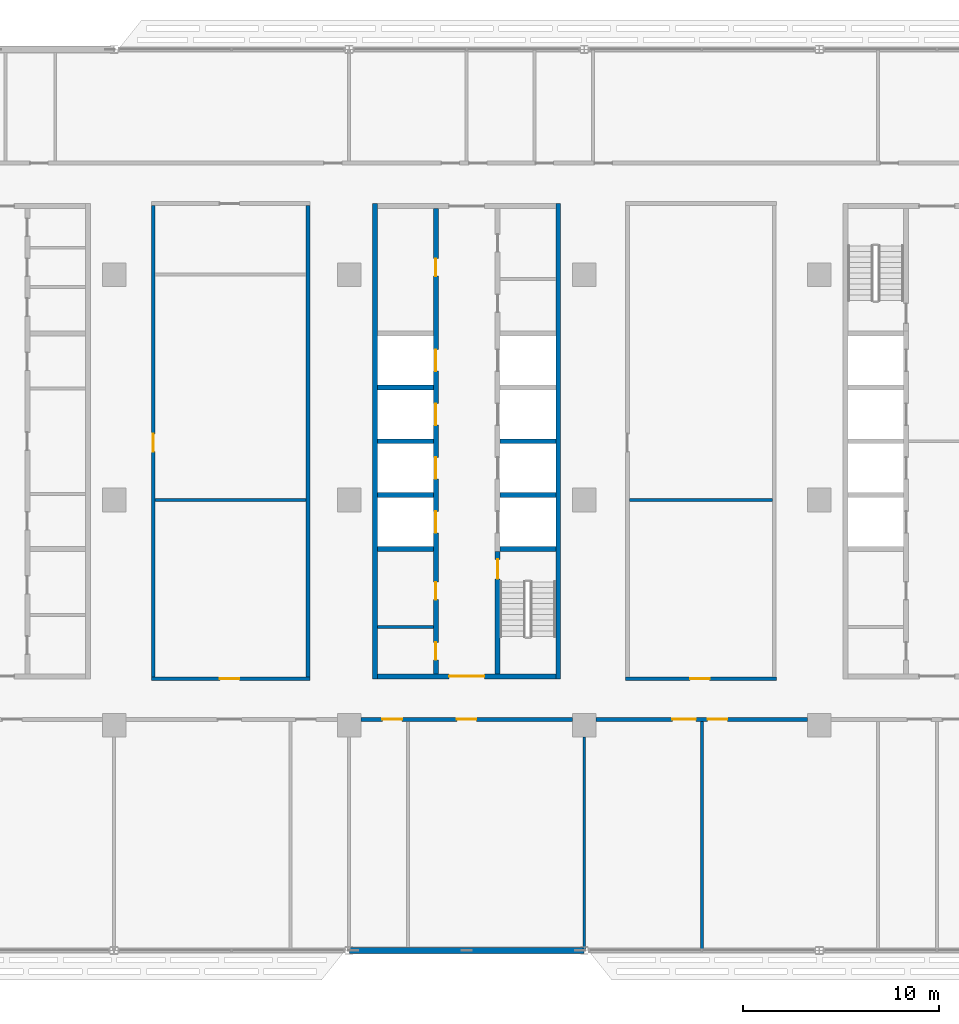
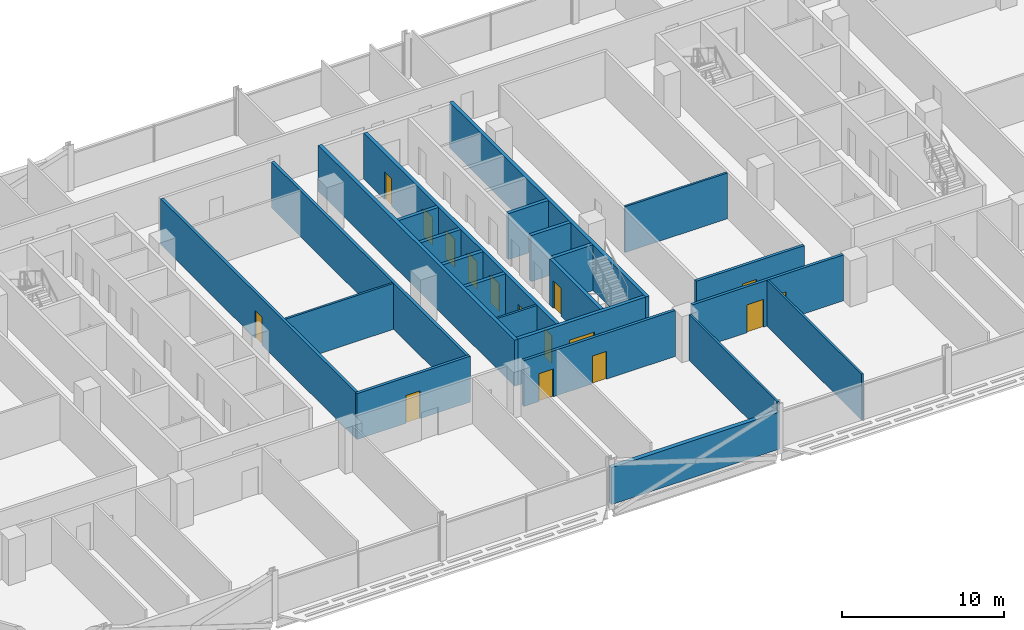
# One storey, part 12 of 27: 24 walls, 16 doors, 16 openings.
"""IFC4 building model written with IfcOpenShell, lengths in metres."""

from ifc_helpers import new_model, si_unit, direction, frame, frame_2d, origin, place, context, subcontext, project, spatial, rectangle, extrude, material, layer, layer_set, type_object, element, fill, save


model = new_model("IFC4")

# Units and contexts
model_context = context("Model", 3, precision=1e-05, world=origin(), true_north=direction((0.0, 1.0)))
body_context = subcontext(model_context, "Body", "Model", "MODEL_VIEW")
ifc_project = project(units=[si_unit("LENGTHUNIT", "METRE"), si_unit("AREAUNIT", "SQUARE_METRE"), si_unit("VOLUMEUNIT", "CUBIC_METRE"), si_unit("PLANEANGLEUNIT", "RADIAN"), si_unit("MASSUNIT", "GRAM", prefix="KILO")], contexts=[model_context])

# Site, building, storey
site_placement = place(None, origin())
site = spatial("IfcSite", under=ifc_project, at=site_placement, CompositionType="ELEMENT")
building_placement = place(site_placement, origin())
building = spatial("IfcBuilding", under=site, at=building_placement, Name="Mahtab Terrace Research Tower", CompositionType="ELEMENT")
storey_placement = place(building_placement, frame((0.0, 0.0, 178.199951171875)))
storey = spatial("IfcBuildingStorey", under=building, at=storey_placement, Name="L42", CompositionType="ELEMENT", Elevation=178.199951171875)

# Walls
ifc_material_1 = material(Name="Gypsum board partition")
ifc_layer_1 = layer(ifc_material_1, 0.14990234375)
ifc_layer_set_1 = layer_set([ifc_layer_1], Name="Core partition 150")
wall_type_1 = type_object("IfcWallType", Name="Core partition 150", PredefinedType="PARTITIONING", material=ifc_layer_set_1)
wall_1_placement = place(storey_placement, frame((-4.550048828125, -6.47509765625, 0.0), z_axis=(0.0, 0.0, 1.0), x_axis=(1.0, 0.0, 0.0)))
element("IfcWall", 1, at=wall_1_placement, inside=storey, type_object=wall_type_1, Name="Core wall B pWS-948", PredefinedType="PARTITIONING", context=body_context, shape_type="SweptSolid", body=[
    extrude(rectangle(XDim=2.85009765625, YDim=0.14990234375, at=frame_2d((1.425048828125, 0.0))), origin(), (0.0, 0.0, 1.0), 3.4599609375),
])
ifc_material_2 = material(Name="Concrete C70/85", Category="concrete")
ifc_layer_2 = layer(ifc_material_2, 0.25)
ifc_layer_set_2 = layer_set([ifc_layer_2], Name="Core wall 250")
wall_type_2 = type_object("IfcWallType", Name="Core wall 250", PredefinedType="SOLIDWALL", material=ifc_layer_set_2)
for number, where, z_axis, x_axis, name in (
    (2, (-4.675048828125, 15.125, 0.0), (0.0, 0.0, 1.0), (0.0, -1.0, 0.0), "Core wall B outerW"),
    (3, (4.675048828125, -9.125, 0.0), (0.0, 0.0, 1.0), (0.0, 1.0, 0.0), "Core wall B outerE"),
):
    element("IfcWall", number, at=place(storey_placement, frame(where, z_axis=z_axis, x_axis=x_axis)), inside=storey, type_object=wall_type_2, Name=name, PredefinedType="SOLIDWALL", context=body_context, shape_type="SweptSolid", body=[
        extrude(rectangle(XDim=24.25, YDim=0.25, at=frame_2d((12.125, 0.0))), origin(), (0.0, 0.0, 1.0), 3.4599609375),
    ])

# Wall, opening, door
wall_2_placement = place(storey_placement, frame((4.550048828125, -9.0, 0.0), z_axis=(0.0, 0.0, 1.0), x_axis=(-1.0, 0.0, 0.0)))
wall_2 = element("IfcWall", 4, at=wall_2_placement, inside=storey, type_object=wall_type_2, Name="Core wall B endS", PredefinedType="SOLIDWALL", context=body_context, shape_type="SweptSolid", body=[
    extrude(rectangle(XDim=9.10009765625, YDim=0.25, at=frame_2d((4.550048828125, 0.0))), origin(), (0.0, 0.0, 1.0), 3.4599609375),
])
opening_1_placement = place(wall_2_placement, frame((3.64990234375, 0.0, 0.0)))
opening_1 = element("IfcOpeningElement", 5, at=opening_1_placement, cuts=wall_2, Name="Opening B-S1", PredefinedType="OPENING", context=body_context, shape_type="SweptSolid", body=[
    extrude(rectangle(XDim=1.800048828125, YDim=2.10009765625, at=frame_2d((0.89990234375, 1.050048828125))), frame((0.0, 0.135009765625, 0.0), z_axis=(0.0, -1.0, 0.0), x_axis=(1.0, 0.0, 0.0)), (0.0, 0.0, 1.0), 0.27001953125),
])
ifc_material_3 = material(Name="Steel fire door", Category="steel")
door_type_1 = type_object("IfcDoorType", Name="Lobby double door 1800x2100 1 HR", OperationType="DOUBLE_DOOR_SINGLE_SWING", PredefinedType="DOOR", material=ifc_material_3)
door_1_placement = place(opening_1_placement, origin())
door_1 = element("IfcDoor", 6, at=door_1_placement, inside=storey, type_object=door_type_1, Name="Core entrance door B S", OperationType="DOUBLE_DOOR_SINGLE_SWING", OverallHeight=2.10009765625, OverallWidth=1.800048828125, PredefinedType="DOOR", context=body_context, shape_type="SweptSolid", body=[
    extrude(rectangle(XDim=1.800048828125, YDim=2.10009765625, at=frame_2d((0.89990234375, 1.050048828125))), frame((0.0, 0.02490234375, 0.0), z_axis=(0.0, -1.0, 0.0), x_axis=(1.0, 0.0, 0.0)), (0.0, 0.0, 1.0), 0.050048828125),
])
fill(opening_1, door_1)

# Wall, openings, doors
wall_3_placement = place(storey_placement, frame((-1.574951171875, -8.875, 0.0), z_axis=(0.0, 0.0, 1.0), x_axis=(0.0, 1.0, 0.0)))
wall_3 = element("IfcWall", 7, at=wall_3_placement, inside=storey, type_object=wall_type_2, Name="Core wall B innerWSLN", PredefinedType="SOLIDWALL", context=body_context, shape_type="SweptSolid", body=[
    extrude(rectangle(XDim=23.75, YDim=0.25, at=frame_2d((11.875, 0.0))), origin(), (0.0, 0.0, 1.0), 3.4599609375),
])
opening_2_placement = place(wall_3_placement, frame((7.199951171875, 0.0, 0.0)))
opening_2 = element("IfcOpeningElement", 8, at=opening_2_placement, cuts=wall_3, Name="Opening LD09-L42", PredefinedType="OPENING", context=body_context, shape_type="SweptSolid", body=[
    extrude(rectangle(XDim=1.10009765625, YDim=2.10009765625, at=frame_2d((0.550048828125, 1.050048828125))), frame((0.0, 0.135009765625, 0.0), z_axis=(0.0, -1.0, 0.0), x_axis=(1.0, 0.0, 0.0)), (0.0, 0.0, 1.0), 0.27001953125),
])
opening_3_placement = place(wall_3_placement, frame((9.949951171875, 0.0, 0.0)))
opening_3 = element("IfcOpeningElement", 9, at=opening_3_placement, cuts=wall_3, Name="Opening LD10-L42", PredefinedType="OPENING", context=body_context, shape_type="SweptSolid", body=[
    extrude(rectangle(XDim=1.10009765625, YDim=2.10009765625, at=frame_2d((0.550048828125, 1.050048828125))), frame((0.0, 0.135009765625, 0.0), z_axis=(0.0, -1.0, 0.0), x_axis=(1.0, 0.0, 0.0)), (0.0, 0.0, 1.0), 0.27001953125),
])
opening_4_placement = place(wall_3_placement, frame((12.699951171875, 0.0, 0.0)))
opening_4 = element("IfcOpeningElement", 10, at=opening_4_placement, cuts=wall_3, Name="Opening LD11-L42", PredefinedType="OPENING", context=body_context, shape_type="SweptSolid", body=[
    extrude(rectangle(XDim=1.10009765625, YDim=2.10009765625, at=frame_2d((0.550048828125, 1.050048828125))), frame((0.0, 0.135009765625, 0.0), z_axis=(0.0, -1.0, 0.0), x_axis=(1.0, 0.0, 0.0)), (0.0, 0.0, 1.0), 0.27001953125),
])
opening_5_placement = place(wall_3_placement, frame((15.449951171875, 0.0, 0.0)))
opening_5 = element("IfcOpeningElement", 11, at=opening_5_placement, cuts=wall_3, Name="Opening LD12-L42", PredefinedType="OPENING", context=body_context, shape_type="SweptSolid", body=[
    extrude(rectangle(XDim=1.10009765625, YDim=2.10009765625, at=frame_2d((0.550048828125, 1.050048828125))), frame((0.0, 0.135009765625, 0.0), z_axis=(0.0, -1.0, 0.0), x_axis=(1.0, 0.0, 0.0)), (0.0, 0.0, 1.0), 0.27001953125),
])
opening_6_placement = place(wall_3_placement, frame((0.71240234375, 0.0, 0.0)))
opening_6 = element("IfcOpeningElement", 12, at=opening_6_placement, cuts=wall_3, Name="Opening B-R1", PredefinedType="OPENING", context=body_context, shape_type="SweptSolid", body=[
    extrude(rectangle(XDim=0.89990234375, YDim=2.10009765625, at=frame_2d((0.449951171875, 1.050048828125))), frame((0.0, 0.135009765625, 0.0), z_axis=(0.0, -1.0, 0.0), x_axis=(1.0, 0.0, 0.0)), (0.0, 0.0, 1.0), 0.27001953125),
])
opening_7_placement = place(wall_3_placement, frame((3.78759765625, 0.0, 0.0)))
opening_7 = element("IfcOpeningElement", 13, at=opening_7_placement, cuts=wall_3, Name="Opening B-R2", PredefinedType="OPENING", context=body_context, shape_type="SweptSolid", body=[
    extrude(rectangle(XDim=0.89990234375, YDim=2.10009765625, at=frame_2d((0.449951171875, 1.050048828125))), frame((0.0, 0.135009765625, 0.0), z_axis=(0.0, -1.0, 0.0), x_axis=(1.0, 0.0, 0.0)), (0.0, 0.0, 1.0), 0.27001953125),
])
opening_8_placement = place(wall_3_placement, frame((20.300048828125, 0.0, 0.0)))
opening_8 = element("IfcOpeningElement", 14, at=opening_8_placement, cuts=wall_3, Name="Opening B-R3", PredefinedType="OPENING", context=body_context, shape_type="SweptSolid", body=[
    extrude(rectangle(XDim=0.89990234375, YDim=2.10009765625, at=frame_2d((0.449951171875, 1.050048828125))), frame((0.0, 0.135009765625, 0.0), z_axis=(0.0, -1.0, 0.0), x_axis=(1.0, 0.0, 0.0)), (0.0, 0.0, 1.0), 0.27001953125),
])
ifc_material_4 = material(Name="Stainless steel AISI 304", Category="steel")
door_type_2 = type_object("IfcDoorType", Name="Landing door 1100x2100", OperationType="DOUBLE_DOOR_SLIDING", PredefinedType="DOOR", material=ifc_material_4)
door_2_placement = place(opening_2_placement, origin())
door_2 = element("IfcDoor", 15, at=door_2_placement, inside=storey, type_object=door_type_2, Name="Landing door HR1 L42", OperationType="DOUBLE_DOOR_SLIDING", OverallHeight=2.10009765625, OverallWidth=1.10009765625, PredefinedType="DOOR", context=body_context, shape_type="SweptSolid", body=[
    extrude(rectangle(XDim=1.10009765625, YDim=2.10009765625, at=frame_2d((0.550048828125, 1.050048828125))), frame((0.0, 0.02490234375, 0.0), z_axis=(0.0, -1.0, 0.0), x_axis=(1.0, 0.0, 0.0)), (0.0, 0.0, 1.0), 0.050048828125),
])
fill(opening_2, door_2)
door_3_placement = place(opening_3_placement, origin())
door_3 = element("IfcDoor", 16, at=door_3_placement, inside=storey, type_object=door_type_2, Name="Landing door HR2 L42", OperationType="DOUBLE_DOOR_SLIDING", OverallHeight=2.10009765625, OverallWidth=1.10009765625, PredefinedType="DOOR", context=body_context, shape_type="SweptSolid", body=[
    extrude(rectangle(XDim=1.10009765625, YDim=2.10009765625, at=frame_2d((0.550048828125, 1.050048828125))), frame((0.0, 0.02490234375, 0.0), z_axis=(0.0, -1.0, 0.0), x_axis=(1.0, 0.0, 0.0)), (0.0, 0.0, 1.0), 0.050048828125),
])
fill(opening_3, door_3)
door_4_placement = place(opening_4_placement, origin())
door_4 = element("IfcDoor", 17, at=door_4_placement, inside=storey, type_object=door_type_2, Name="Landing door HR3 L42", OperationType="DOUBLE_DOOR_SLIDING", OverallHeight=2.10009765625, OverallWidth=1.10009765625, PredefinedType="DOOR", context=body_context, shape_type="SweptSolid", body=[
    extrude(rectangle(XDim=1.10009765625, YDim=2.10009765625, at=frame_2d((0.550048828125, 1.050048828125))), frame((0.0, 0.02490234375, 0.0), z_axis=(0.0, -1.0, 0.0), x_axis=(1.0, 0.0, 0.0)), (0.0, 0.0, 1.0), 0.050048828125),
])
fill(opening_4, door_4)
door_5_placement = place(opening_5_placement, origin())
door_5 = element("IfcDoor", 18, at=door_5_placement, inside=storey, type_object=door_type_2, Name="Landing door HR4 L42", OperationType="DOUBLE_DOOR_SLIDING", OverallHeight=2.10009765625, OverallWidth=1.10009765625, PredefinedType="DOOR", context=body_context, shape_type="SweptSolid", body=[
    extrude(rectangle(XDim=1.10009765625, YDim=2.10009765625, at=frame_2d((0.550048828125, 1.050048828125))), frame((0.0, 0.02490234375, 0.0), z_axis=(0.0, -1.0, 0.0), x_axis=(1.0, 0.0, 0.0)), (0.0, 0.0, 1.0), 0.050048828125),
])
fill(opening_5, door_5)
door_type_3 = type_object("IfcDoorType", Name="Room door 900x2100 1 HR", OperationType="NOTDEFINED", PredefinedType="DOOR", material=ifc_material_3)
door_6_placement = place(opening_6_placement, origin())
door_6 = element("IfcDoor", 19, at=door_6_placement, inside=storey, type_object=door_type_3, Name="Mechanical riser room door", OperationType="SINGLE_SWING_LEFT", OverallHeight=2.10009765625, OverallWidth=0.89990234375, PredefinedType="DOOR", context=body_context, shape_type="SweptSolid", body=[
    extrude(rectangle(XDim=0.89990234375, YDim=2.10009765625, at=frame_2d((0.449951171875, 1.050048828125))), frame((0.0, 0.02490234375, 0.0), z_axis=(0.0, -1.0, 0.0), x_axis=(1.0, 0.0, 0.0)), (0.0, 0.0, 1.0), 0.050048828125),
])
fill(opening_6, door_6)
door_7_placement = place(opening_7_placement, origin())
door_7 = element("IfcDoor", 20, at=door_7_placement, inside=storey, type_object=door_type_3, Name="Chemical store door", OperationType="SINGLE_SWING_RIGHT", OverallHeight=2.10009765625, OverallWidth=0.89990234375, PredefinedType="DOOR", context=body_context, shape_type="SweptSolid", body=[
    extrude(rectangle(XDim=0.89990234375, YDim=2.10009765625, at=frame_2d((0.449951171875, 1.050048828125))), frame((0.0, 0.02490234375, 0.0), z_axis=(0.0, -1.0, 0.0), x_axis=(1.0, 0.0, 0.0)), (0.0, 0.0, 1.0), 0.050048828125),
])
fill(opening_7, door_7)
door_8_placement = place(opening_8_placement, origin())
door_8 = element("IfcDoor", 21, at=door_8_placement, inside=storey, type_object=door_type_3, Name="Gas cylinder store door", OperationType="SINGLE_SWING_LEFT", OverallHeight=2.10009765625, OverallWidth=0.89990234375, PredefinedType="DOOR", context=body_context, shape_type="SweptSolid", body=[
    extrude(rectangle(XDim=0.89990234375, YDim=2.10009765625, at=frame_2d((0.449951171875, 1.050048828125))), frame((0.0, 0.02490234375, 0.0), z_axis=(0.0, -1.0, 0.0), x_axis=(1.0, 0.0, 0.0)), (0.0, 0.0, 1.0), 0.050048828125),
])
fill(opening_8, door_8)

# Wall, opening, door
wall_4_placement = place(storey_placement, frame((1.574951171875, -8.875, 0.0), z_axis=(0.0, 0.0, 1.0), x_axis=(0.0, 1.0, 0.0)))
wall_4 = element("IfcWall", 22, at=wall_4_placement, inside=storey, type_object=wall_type_2, Name="Core wall B innerES", PredefinedType="SOLIDWALL", context=body_context, shape_type="SweptSolid", body=[
    extrude(rectangle(XDim=6.25, YDim=0.25, at=frame_2d((3.125, 0.0))), origin(), (0.0, 0.0, 1.0), 3.4599609375),
])
opening_9_placement = place(wall_4_placement, frame((4.85009765625, 0.0, 0.0)))
opening_9 = element("IfcOpeningElement", 23, at=opening_9_placement, cuts=wall_4, Name="Opening B-ST2", PredefinedType="OPENING", context=body_context, shape_type="SweptSolid", body=[
    extrude(rectangle(XDim=1.0, YDim=2.10009765625, at=frame_2d((0.5, 1.050048828125))), frame((0.0, 0.135009765625, 0.0), z_axis=(0.0, -1.0, 0.0), x_axis=(1.0, 0.0, 0.0)), (0.0, 0.0, 1.0), 0.27001953125),
])
door_type_4 = type_object("IfcDoorType", Name="Stair door 1000x2100 1.5 HR", OperationType="NOTDEFINED", PredefinedType="DOOR", material=ifc_material_3)
door_9_placement = place(opening_9_placement, origin())
door_9 = element("IfcDoor", 24, at=door_9_placement, inside=storey, type_object=door_type_4, Name="Stair door ST2 L42", OperationType="SINGLE_SWING_RIGHT", OverallHeight=2.10009765625, OverallWidth=1.0, PredefinedType="DOOR", context=body_context, shape_type="SweptSolid", body=[
    extrude(rectangle(XDim=1.0, YDim=2.10009765625, at=frame_2d((0.5, 1.050048828125))), frame((0.0, 0.02490234375, 0.0), z_axis=(0.0, -1.0, 0.0), x_axis=(1.0, 0.0, 0.0)), (0.0, 0.0, 1.0), 0.050048828125),
])
fill(opening_9, door_9)

# Walls
for number, where, z_axis, x_axis, name in (
    (25, (-4.550048828125, -2.5, 0.0), (0.0, 0.0, 1.0), (1.0, 0.0, 0.0), "Core wall B divW0"),
    (26, (-4.550048828125, 0.25, 0.0), (0.0, 0.0, 1.0), (1.0, 0.0, 0.0), "Core wall B divW1"),
    (27, (-4.550048828125, 3.0, 0.0), (0.0, 0.0, 1.0), (1.0, 0.0, 0.0), "Core wall B divW2"),
    (28, (-4.550048828125, 5.75, 0.0), (0.0, 0.0, 1.0), (1.0, 0.0, 0.0), "Core wall B divW3"),
    (29, (1.699951171875, -2.5, 0.0), (0.0, 0.0, 1.0), (1.0, 0.0, 0.0), "Core wall B divE0"),
    (30, (1.699951171875, 0.25, 0.0), (0.0, 0.0, 1.0), (1.0, 0.0, 0.0), "Core wall B divE1"),
    (31, (1.699951171875, 3.0, 0.0), (0.0, 0.0, 1.0), (1.0, 0.0, 0.0), "Core wall B divE2"),
):
    element("IfcWall", number, at=place(storey_placement, frame(where, z_axis=z_axis, x_axis=x_axis)), inside=storey, type_object=wall_type_2, Name=name, PredefinedType="SOLIDWALL", context=body_context, shape_type="SweptSolid", body=[
        extrude(rectangle(XDim=2.85009765625, YDim=0.25, at=frame_2d((1.425048828125, 0.0))), origin(), (0.0, 0.0, 1.0), 3.4599609375),
    ])
ifc_material_5 = material(Name="Black aluminium cladding panel", Category="aluminium")
ifc_layer_3 = layer(ifc_material_5, 0.300048828125)
ifc_layer_set_3 = layer_set([ifc_layer_3], Name="Opaque facade wall 300")
wall_type_3 = type_object("IfcWallType", Name="Opaque facade wall 300", PredefinedType="NOTDEFINED", material=ifc_layer_set_3)
wall_5_placement = place(storey_placement, frame((-5.985107421875, -23.0, 0.0), z_axis=(0.0, 0.0, 1.0), x_axis=(1.0, 0.0, 0.0)))
element("IfcWall", 32, at=wall_5_placement, inside=storey, type_object=wall_type_3, Name="Opaque facade wall L42 S26", PredefinedType="NOTDEFINED", context=body_context, shape_type="SweptSolid", body=[
    extrude(rectangle(XDim=11.97021484375, YDim=0.300048828125, at=frame_2d((5.985107421875, 0.0))), origin(), (0.0, 0.0, 1.0), 2.78173828125),
])

# Wall, openings, doors
ifc_material_6 = material(Name="Gypsum board corridor wall on steel studs", Category="steel")
ifc_layer_4 = layer(ifc_material_6, 0.199951171875)
ifc_layer_set_4 = layer_set([ifc_layer_4], Name="WALL CORRIDOR 200")
wall_type_4 = type_object("IfcWallType", Name="WALL CORRIDOR 200", PredefinedType="PARTITIONING", material=ifc_layer_set_4)
wall_6_placement = place(storey_placement, frame((-5.39990234375, -11.199951171875, 0.0), z_axis=(0.0, 0.0, 1.0), x_axis=(1.0, 0.0, 0.0)))
wall_6 = element("IfcWall", 33, at=wall_6_placement, inside=storey, type_object=wall_type_4, Name="L42-W005", PredefinedType="PARTITIONING", context=body_context, shape_type="SweptSolid", body=[
    extrude(rectangle(XDim=10.7998046875, YDim=0.199951171875, at=frame_2d((5.39990234375, 0.0))), origin(), (0.0, 0.0, 1.0), 3.4599609375),
])
opening_10_placement = place(wall_6_placement, frame((1.10009765625, 0.0, 0.0)))
opening_10 = element("IfcOpeningElement", 34, at=opening_10_placement, cuts=wall_6, Name="Opening L42-108", PredefinedType="OPENING", context=body_context, shape_type="SweptSolid", body=[
    extrude(rectangle(XDim=1.0, YDim=2.10009765625, at=frame_2d((0.5, 1.050048828125))), frame((0.0, 0.10986328125, 0.0), z_axis=(0.0, -1.0, 0.0), x_axis=(1.0, 0.0, 0.0)), (0.0, 0.0, 1.0), 0.219970703125),
])
opening_11_placement = place(wall_6_placement, frame((4.89990234375, 0.0, 0.0)))
opening_11 = element("IfcOpeningElement", 35, at=opening_11_placement, cuts=wall_6, Name="Opening L42-109", PredefinedType="OPENING", context=body_context, shape_type="SweptSolid", body=[
    extrude(rectangle(XDim=1.0, YDim=2.10009765625, at=frame_2d((0.5, 1.050048828125))), frame((0.0, 0.10986328125, 0.0), z_axis=(0.0, -1.0, 0.0), x_axis=(1.0, 0.0, 0.0)), (0.0, 0.0, 1.0), 0.219970703125),
])
ifc_material_7 = material(Name="Timber door leaf in steel frame", Category="steel")
door_type_5 = type_object("IfcDoorType", Name="DOOR 1000X2100 FD30S", OperationType="SINGLE_SWING_LEFT", PredefinedType="DOOR", material=ifc_material_7)
door_10_placement = place(opening_10_placement, origin())
door_10 = element("IfcDoor", 36, at=door_10_placement, inside=storey, type_object=door_type_5, Name="Door L42-108", OperationType="SINGLE_SWING_RIGHT", OverallHeight=2.10009765625, OverallWidth=1.0, PredefinedType="DOOR", context=body_context, shape_type="SweptSolid", body=[
    extrude(rectangle(XDim=1.0, YDim=2.10009765625, at=frame_2d((0.5, 1.050048828125))), frame((0.0, 0.02490234375, 0.0), z_axis=(0.0, -1.0, 0.0), x_axis=(1.0, 0.0, 0.0)), (0.0, 0.0, 1.0), 0.050048828125),
])
fill(opening_10, door_10)
door_11_placement = place(opening_11_placement, origin())
door_11 = element("IfcDoor", 37, at=door_11_placement, inside=storey, type_object=door_type_5, Name="Door L42-109", OperationType="SINGLE_SWING_RIGHT", OverallHeight=2.10009765625, OverallWidth=1.0, PredefinedType="DOOR", context=body_context, shape_type="SweptSolid", body=[
    extrude(rectangle(XDim=1.0, YDim=2.10009765625, at=frame_2d((0.5, 1.050048828125))), frame((0.0, 0.02490234375, 0.0), z_axis=(0.0, -1.0, 0.0), x_axis=(1.0, 0.0, 0.0)), (0.0, 0.0, 1.0), 0.050048828125),
])
fill(opening_11, door_11)

wall_7_placement = place(storey_placement, frame((6.60009765625, -11.199951171875, 0.0), z_axis=(0.0, 0.0, 1.0), x_axis=(1.0, 0.0, 0.0)))
wall_7 = element("IfcWall", 38, at=wall_7_placement, inside=storey, type_object=wall_type_4, Name="L42-W006", PredefinedType="PARTITIONING", context=body_context, shape_type="SweptSolid", body=[
    extrude(rectangle(XDim=10.7998046875, YDim=0.199951171875, at=frame_2d((5.39990234375, 0.0))), origin(), (0.0, 0.0, 1.0), 3.4599609375),
])
opening_12_placement = place(wall_7_placement, frame((3.89990234375, 0.0, 0.0)))
opening_12 = element("IfcOpeningElement", 39, at=opening_12_placement, cuts=wall_7, Name="Opening L42-110", PredefinedType="OPENING", context=body_context, shape_type="SweptSolid", body=[
    extrude(rectangle(XDim=1.199951171875, YDim=2.10009765625, at=frame_2d((0.60009765625, 1.050048828125))), frame((0.0, 0.10986328125, 0.0), z_axis=(0.0, -1.0, 0.0), x_axis=(1.0, 0.0, 0.0)), (0.0, 0.0, 1.0), 0.219970703125),
])
opening_13_placement = place(wall_7_placement, frame((5.699951171875, 0.0, 0.0)))
opening_13 = element("IfcOpeningElement", 40, at=opening_13_placement, cuts=wall_7, Name="Opening L42-111", PredefinedType="OPENING", context=body_context, shape_type="SweptSolid", body=[
    extrude(rectangle(XDim=1.0, YDim=2.10009765625, at=frame_2d((0.5, 1.050048828125))), frame((0.0, 0.10986328125, 0.0), z_axis=(0.0, -1.0, 0.0), x_axis=(1.0, 0.0, 0.0)), (0.0, 0.0, 1.0), 0.219970703125),
])
door_12_placement = place(opening_13_placement, origin())
door_12 = element("IfcDoor", 41, at=door_12_placement, inside=storey, type_object=door_type_5, Name="Door L42-111", OperationType="SINGLE_SWING_LEFT", OverallHeight=2.10009765625, OverallWidth=1.0, PredefinedType="DOOR", context=body_context, shape_type="SweptSolid", body=[
    extrude(rectangle(XDim=1.0, YDim=2.10009765625, at=frame_2d((0.5, 1.050048828125))), frame((0.0, 0.02490234375, 0.0), z_axis=(0.0, -1.0, 0.0), x_axis=(1.0, 0.0, 0.0)), (0.0, 0.0, 1.0), 0.050048828125),
])
fill(opening_13, door_12)
door_type_6 = type_object("IfcDoorType", Name="DOOR 1200X2100 FD30S", OperationType="SINGLE_SWING_LEFT", PredefinedType="DOOR", material=ifc_material_7)
door_13_placement = place(opening_12_placement, origin())
door_13 = element("IfcDoor", 42, at=door_13_placement, inside=storey, type_object=door_type_6, Name="Door L42-110", OperationType="SINGLE_SWING_RIGHT", OverallHeight=2.10009765625, OverallWidth=1.199951171875, PredefinedType="DOOR", context=body_context, shape_type="SweptSolid", body=[
    extrude(rectangle(XDim=1.199951171875, YDim=2.10009765625, at=frame_2d((0.60009765625, 1.050048828125))), frame((0.0, 0.02490234375, 0.0), z_axis=(0.0, -1.0, 0.0), x_axis=(1.0, 0.0, 0.0)), (0.0, 0.0, 1.0), 0.050048828125),
])
fill(opening_12, door_13)

# Wall, opening, door
wall_8_placement = place(storey_placement, frame((-16.10009765625, -9.125, 0.0), z_axis=(0.0, 0.0, 1.0), x_axis=(1.0, 0.0, 0.0)))
wall_8 = element("IfcWall", 43, at=wall_8_placement, inside=storey, type_object=wall_type_4, Name="L42-W011", PredefinedType="PARTITIONING", context=body_context, shape_type="SweptSolid", body=[
    extrude(rectangle(XDim=8.10009765625, YDim=0.199951171875, at=frame_2d((4.050048828125, 0.0))), origin(), (0.0, 0.0, 1.0), 3.4599609375),
])
opening_14_placement = place(wall_8_placement, frame((3.5, 0.0, 0.0)))
opening_14 = element("IfcOpeningElement", 44, at=opening_14_placement, cuts=wall_8, Name="Opening L42-118", PredefinedType="OPENING", context=body_context, shape_type="SweptSolid", body=[
    extrude(rectangle(XDim=1.0, YDim=2.10009765625, at=frame_2d((0.5, 1.050048828125))), frame((0.0, 0.10986328125, 0.0), z_axis=(0.0, -1.0, 0.0), x_axis=(1.0, 0.0, 0.0)), (0.0, 0.0, 1.0), 0.219970703125),
])
door_14_placement = place(opening_14_placement, origin())
door_14 = element("IfcDoor", 45, at=door_14_placement, inside=storey, type_object=door_type_5, Name="Door L42-118", OperationType="SINGLE_SWING_LEFT", OverallHeight=2.10009765625, OverallWidth=1.0, PredefinedType="DOOR", context=body_context, shape_type="SweptSolid", body=[
    extrude(rectangle(XDim=1.0, YDim=2.10009765625, at=frame_2d((0.5, 1.050048828125))), frame((0.0, 0.02490234375, 0.0), z_axis=(0.0, -1.0, 0.0), x_axis=(1.0, 0.0, 0.0)), (0.0, 0.0, 1.0), 0.050048828125),
])
fill(opening_14, door_14)

wall_9_placement = place(storey_placement, frame((8.10009765625, -9.125, 0.0), z_axis=(0.0, 0.0, 1.0), x_axis=(1.0, 0.0, 0.0)))
wall_9 = element("IfcWall", 46, at=wall_9_placement, inside=storey, type_object=wall_type_4, Name="L42-W012", PredefinedType="PARTITIONING", context=body_context, shape_type="SweptSolid", body=[
    extrude(rectangle(XDim=7.699951171875, YDim=0.199951171875, at=frame_2d((3.85009765625, 0.0))), origin(), (0.0, 0.0, 1.0), 3.4599609375),
])
opening_15_placement = place(wall_9_placement, frame((3.300048828125, 0.0, 0.0)))
opening_15 = element("IfcOpeningElement", 47, at=opening_15_placement, cuts=wall_9, Name="Opening L42-119", PredefinedType="OPENING", context=body_context, shape_type="SweptSolid", body=[
    extrude(rectangle(XDim=1.0, YDim=2.10009765625, at=frame_2d((0.5, 1.050048828125))), frame((0.0, 0.10986328125, 0.0), z_axis=(0.0, -1.0, 0.0), x_axis=(1.0, 0.0, 0.0)), (0.0, 0.0, 1.0), 0.219970703125),
])
door_15_placement = place(opening_15_placement, origin())
door_15 = element("IfcDoor", 48, at=door_15_placement, inside=storey, type_object=door_type_5, Name="Door L42-119", OperationType="SINGLE_SWING_LEFT", OverallHeight=2.10009765625, OverallWidth=1.0, PredefinedType="DOOR", context=body_context, shape_type="SweptSolid", body=[
    extrude(rectangle(XDim=1.0, YDim=2.10009765625, at=frame_2d((0.5, 1.050048828125))), frame((0.0, 0.02490234375, 0.0), z_axis=(0.0, -1.0, 0.0), x_axis=(1.0, 0.0, 0.0)), (0.0, 0.0, 1.0), 0.050048828125),
])
fill(opening_15, door_15)

wall_10_placement = place(storey_placement, frame((-16.0, -9.02490234375, 0.0), z_axis=(0.0, 0.0, 1.0), x_axis=(0.0, 1.0, 0.0)))
wall_10 = element("IfcWall", 49, at=wall_10_placement, inside=storey, type_object=wall_type_4, Name="L42-W038", PredefinedType="PARTITIONING", context=body_context, shape_type="SweptSolid", body=[
    extrude(rectangle(XDim=24.0498046875, YDim=0.199951171875, at=frame_2d((12.02490234375, 0.0))), origin(), (0.0, 0.0, 1.0), 3.4599609375),
])
opening_16_placement = place(wall_10_placement, frame((11.5, 0.0, 0.0)))
opening_16 = element("IfcOpeningElement", 50, at=opening_16_placement, cuts=wall_10, Name="Opening L42-121", PredefinedType="OPENING", context=body_context, shape_type="SweptSolid", body=[
    extrude(rectangle(XDim=0.89990234375, YDim=2.10009765625, at=frame_2d((0.449951171875, 1.050048828125))), frame((0.0, 0.10986328125, 0.0), z_axis=(0.0, -1.0, 0.0), x_axis=(1.0, 0.0, 0.0)), (0.0, 0.0, 1.0), 0.219970703125),
])
door_type_7 = type_object("IfcDoorType", Name="DOOR 0900X2100 FD30S", OperationType="SINGLE_SWING_LEFT", PredefinedType="DOOR", material=ifc_material_7)
door_16_placement = place(opening_16_placement, origin())
door_16 = element("IfcDoor", 51, at=door_16_placement, inside=storey, type_object=door_type_7, Name="Door L42-121", OperationType="SINGLE_SWING_RIGHT", OverallHeight=2.10009765625, OverallWidth=0.89990234375, PredefinedType="DOOR", context=body_context, shape_type="SweptSolid", body=[
    extrude(rectangle(XDim=0.89990234375, YDim=2.10009765625, at=frame_2d((0.449951171875, 1.050048828125))), frame((0.0, 0.02490234375, 0.0), z_axis=(0.0, -1.0, 0.0), x_axis=(1.0, 0.0, 0.0)), (0.0, 0.0, 1.0), 0.050048828125),
])
fill(opening_16, door_16)

# Walls
wall_11_placement = place(storey_placement, frame((-8.10009765625, -9.02490234375, 0.0), z_axis=(0.0, 0.0, 1.0), x_axis=(0.0, 1.0, 0.0)))
element("IfcWall", 52, at=wall_11_placement, inside=storey, type_object=wall_type_4, Name="L42-W040", PredefinedType="PARTITIONING", context=body_context, shape_type="SweptSolid", body=[
    extrude(rectangle(XDim=24.0498046875, YDim=0.199951171875, at=frame_2d((12.02490234375, 0.0))), origin(), (0.0, 0.0, 1.0), 3.4599609375),
])
ifc_material_8 = material(Name="Gypsum board partition on steel studs", Category="steel")
ifc_layer_5 = layer(ifc_material_8, 0.14990234375)
ifc_layer_set_5 = layer_set([ifc_layer_5], Name="WALL PARTITION 150")
wall_type_5 = type_object("IfcWallType", Name="WALL PARTITION 150", PredefinedType="PARTITIONING", material=ifc_layer_set_5)
wall_12_placement = place(storey_placement, frame((-15.89990234375, 0.0, 0.0), z_axis=(0.0, 0.0, 1.0), x_axis=(1.0, 0.0, 0.0)))
element("IfcWall", 53, at=wall_12_placement, inside=storey, type_object=wall_type_5, Name="L42-W016", PredefinedType="PARTITIONING", context=body_context, shape_type="SweptSolid", body=[
    extrude(rectangle(XDim=7.699951171875, YDim=0.14990234375, at=frame_2d((3.85009765625, 0.0))), origin(), (0.0, 0.0, 1.0), 3.4599609375),
])
wall_13_placement = place(storey_placement, frame((8.300048828125, 0.0, 0.0), z_axis=(0.0, 0.0, 1.0), x_axis=(1.0, 0.0, 0.0)))
element("IfcWall", 54, at=wall_13_placement, inside=storey, type_object=wall_type_5, Name="L42-W017", PredefinedType="PARTITIONING", context=body_context, shape_type="SweptSolid", body=[
    extrude(rectangle(XDim=7.300048828125, YDim=0.14990234375, at=frame_2d((3.64990234375, 0.0))), origin(), (0.0, 0.0, 1.0), 3.4599609375),
])
wall_14_placement = place(storey_placement, frame((6.0, -22.97509765625, 0.0), z_axis=(0.0, 0.0, 1.0), x_axis=(0.0, 1.0, 0.0)))
element("IfcWall", 55, at=wall_14_placement, inside=storey, type_object=wall_type_5, Name="L42-W046", PredefinedType="PARTITIONING", context=body_context, shape_type="SweptSolid", body=[
    extrude(rectangle(XDim=10.875, YDim=0.14990234375, at=frame_2d((5.4375, 0.0))), origin(), (0.0, 0.0, 1.0), 3.4599609375),
])
wall_15_placement = place(storey_placement, frame((12.0, -22.97509765625, 0.0), z_axis=(0.0, 0.0, 1.0), x_axis=(0.0, 1.0, 0.0)))
element("IfcWall", 56, at=wall_15_placement, inside=storey, type_object=wall_type_5, Name="L42-W049", PredefinedType="PARTITIONING", context=body_context, shape_type="SweptSolid", body=[
    extrude(rectangle(XDim=11.675048828125, YDim=0.14990234375, at=frame_2d((5.83740234375, 0.0))), origin(), (0.0, 0.0, 1.0), 3.4599609375),
])

save(model, "model.ifc")
